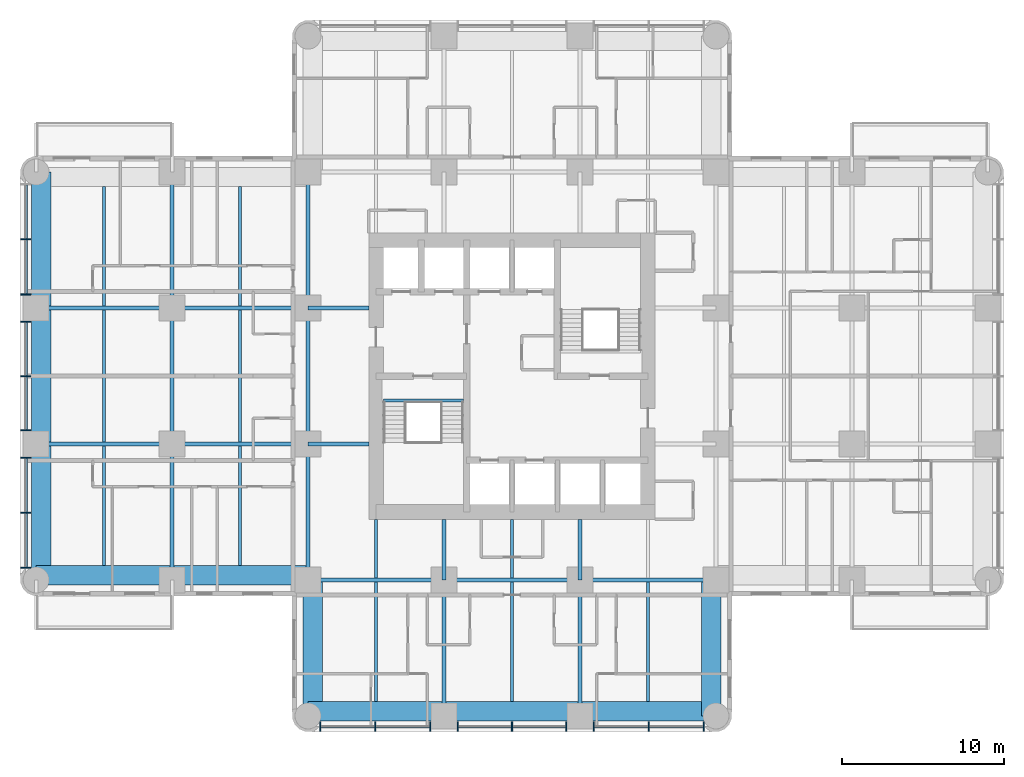
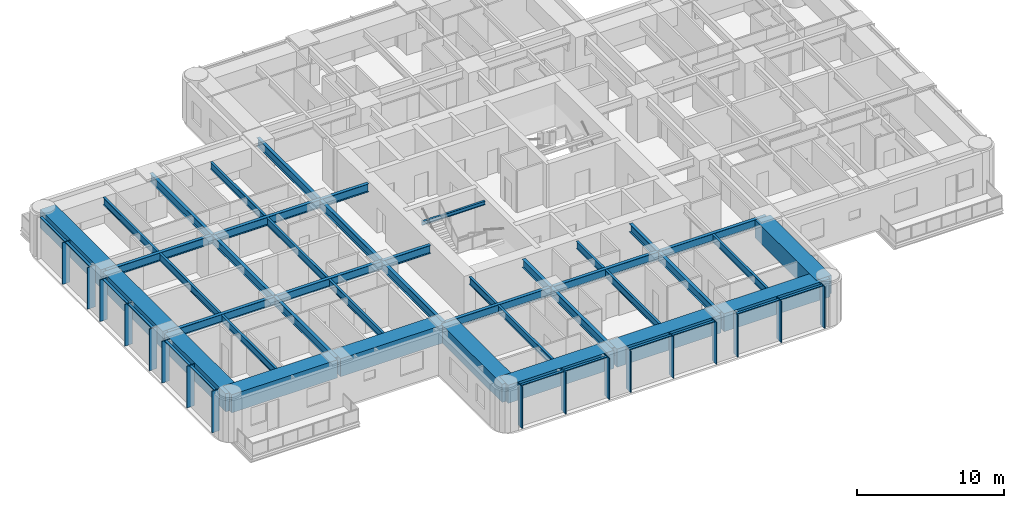
# One storey, part 2 of 14: 41 beams, 29 members, 2 elements without a shape of their own.
"""IFC4 building model written with IfcOpenShell, lengths in metres."""

from ifc_helpers import new_model, si_unit, direction, frame, origin, origin_2d, place, context, subcontext, project, spatial, rectangle, i_section, extrude, material, material_profile, profile_set, type_object, element, aggregate, save


model = new_model("IFC4")

# Units and contexts
model_context = context("Model", 3, precision=1e-05, world=origin(), true_north=direction((0.0, 1.0)))
body_context = subcontext(model_context, "Body", "Model", "MODEL_VIEW")
ifc_project = project(units=[si_unit("LENGTHUNIT", "METRE"), si_unit("AREAUNIT", "SQUARE_METRE"), si_unit("VOLUMEUNIT", "CUBIC_METRE"), si_unit("PLANEANGLEUNIT", "RADIAN"), si_unit("MASSUNIT", "GRAM", prefix="KILO")], contexts=[model_context])

# Site, building, storey
site_placement = place(None, origin())
site = spatial("IfcSite", under=ifc_project, at=site_placement, CompositionType="ELEMENT")
building_placement = place(site_placement, origin())
building = spatial("IfcBuilding", under=site, at=building_placement, Name="Torre Alcanfor", CompositionType="ELEMENT")
storey_placement = place(building_placement, frame((0.0, 0.0, 137.699951171875)))
storey = spatial("IfcBuildingStorey", under=building, at=storey_placement, Name="L35", CompositionType="ELEMENT", Elevation=137.699951171875)

# Curtain wall, members
ifc_material_1 = material(Name="Aluminium and glass", Category="aluminium")
curtain_wall_type = type_object("IfcCurtainWallType", Name="CW-A unitised apartment glazing with vertical FIN", PredefinedType="NOTDEFINED", material=ifc_material_1)
curtain_wall_1_placement = place(storey_placement, origin())
curtain_wall_1 = element("IfcCurtainWall", 1, at=curtain_wall_1_placement, inside=storey, type_object=curtain_wall_type, Name="Curtain wall CW-A L35 2", PredefinedType="NOTDEFINED")
ifc_material_2 = material(Name="Bronze anodised aluminium", Category="aluminium")
ifc_material_profile_1 = material_profile(ifc_material_2, rectangle(XDim=0.60009765625, YDim=0.06494140625, at=origin_2d()), Name="CW-A mullion 65x600")
ifc_profile_set_1 = profile_set([ifc_material_profile_1], Name="Bronze anodised aluminium")
member_type_1 = type_object("IfcMemberType", Name="CW-A mullion with vertical FIN 65x600", PredefinedType="MULLION", material=ifc_profile_set_1)
member_1_placement = place(storey_placement, frame((-0.64990234375, 37.840087890625, 0.0), z_axis=(0.0, 0.0, 1.0), x_axis=(1.0, 0.0, 0.0)))
member_1 = element("IfcMember", 2, at=member_1_placement, type_object=member_type_1, Name="CW-A mullion 1.2", PredefinedType="MULLION", context=body_context, shape_type="SweptSolid", body=[
    extrude(rectangle(XDim=0.60009765625, YDim=0.06494140625, at=origin_2d()), origin(), (0.0, 0.0, 1.0), 3.449951171875),
])
member_2_placement = place(storey_placement, frame((-0.64990234375, 34.4375, 0.0), z_axis=(0.0, 0.0, 1.0), x_axis=(1.0, 0.0, 0.0)))
member_2 = element("IfcMember", 3, at=member_2_placement, type_object=member_type_1, Name="CW-A mullion 1.3", PredefinedType="MULLION", context=body_context, shape_type="SweptSolid", body=[
    extrude(rectangle(XDim=0.60009765625, YDim=0.06494140625, at=origin_2d()), origin(), (0.0, 0.0, 1.0), 3.449951171875),
])
member_3_placement = place(storey_placement, frame((-0.64990234375, 32.762451171875, 0.0), z_axis=(0.0, 0.0, 1.0), x_axis=(1.0, 0.0, 0.0)))
member_3 = element("IfcMember", 4, at=member_3_placement, type_object=member_type_1, Name="CW-A mullion 2.1", PredefinedType="MULLION", context=body_context, shape_type="SweptSolid", body=[
    extrude(rectangle(XDim=0.60009765625, YDim=0.06494140625, at=origin_2d()), origin(), (0.0, 0.0, 1.0), 3.449951171875),
])
member_4_placement = place(storey_placement, frame((-0.64990234375, 29.39990234375, 0.0), z_axis=(0.0, 0.0, 1.0), x_axis=(1.0, 0.0, 0.0)))
member_4 = element("IfcMember", 5, at=member_4_placement, type_object=member_type_1, Name="CW-A mullion 2.2", PredefinedType="MULLION", context=body_context, shape_type="SweptSolid", body=[
    extrude(rectangle(XDim=0.60009765625, YDim=0.06494140625, at=origin_2d()), origin(), (0.0, 0.0, 1.0), 3.449951171875),
])
member_5_placement = place(storey_placement, frame((-0.64990234375, 26.03759765625, 0.0), z_axis=(0.0, 0.0, 1.0), x_axis=(1.0, 0.0, 0.0)))
member_5 = element("IfcMember", 6, at=member_5_placement, type_object=member_type_1, Name="CW-A mullion 2.3", PredefinedType="MULLION", context=body_context, shape_type="SweptSolid", body=[
    extrude(rectangle(XDim=0.60009765625, YDim=0.06494140625, at=origin_2d()), origin(), (0.0, 0.0, 1.0), 3.449951171875),
])
member_6_placement = place(storey_placement, frame((-0.64990234375, 24.362548828125, 0.0), z_axis=(0.0, 0.0, 1.0), x_axis=(1.0, 0.0, 0.0)))
member_6 = element("IfcMember", 7, at=member_6_placement, type_object=member_type_1, Name="CW-A mullion 3.1", PredefinedType="MULLION", context=body_context, shape_type="SweptSolid", body=[
    extrude(rectangle(XDim=0.60009765625, YDim=0.06494140625, at=origin_2d()), origin(), (0.0, 0.0, 1.0), 3.449951171875),
])
member_7_placement = place(storey_placement, frame((-0.64990234375, 20.9599609375, 0.0), z_axis=(0.0, 0.0, 1.0), x_axis=(1.0, 0.0, 0.0)))
member_7 = element("IfcMember", 8, at=member_7_placement, type_object=member_type_1, Name="CW-A mullion 3.2", PredefinedType="MULLION", context=body_context, shape_type="SweptSolid", body=[
    extrude(rectangle(XDim=0.60009765625, YDim=0.06494140625, at=origin_2d()), origin(), (0.0, 0.0, 1.0), 3.449951171875),
])
member_8_placement = place(storey_placement, frame((-0.64990234375, 17.557373046875, 0.0), z_axis=(0.0, 0.0, 1.0), x_axis=(1.0, 0.0, 0.0)))
member_8 = element("IfcMember", 9, at=member_8_placement, type_object=member_type_1, Name="CW-A mullion 3.3", PredefinedType="MULLION", context=body_context, shape_type="SweptSolid", body=[
    extrude(rectangle(XDim=0.60009765625, YDim=0.06494140625, at=origin_2d()), origin(), (0.0, 0.0, 1.0), 3.449951171875),
])

curtain_wall_2_placement = place(storey_placement, origin())
curtain_wall_2 = element("IfcCurtainWall", 10, at=curtain_wall_2_placement, inside=storey, type_object=curtain_wall_type, Name="Curtain wall CW-A L35 5", PredefinedType="NOTDEFINED")
member_9_placement = place(storey_placement, frame((17.557373046875, 7.75, 0.0), z_axis=(0.0, 0.0, 1.0), x_axis=(0.0, 1.0, 0.0)))
member_9 = element("IfcMember", 11, at=member_9_placement, type_object=member_type_1, Name="CW-A mullion 1.1", PredefinedType="MULLION", context=body_context, shape_type="SweptSolid", body=[
    extrude(rectangle(XDim=0.60009765625, YDim=0.06494140625, at=origin_2d()), origin(), (0.0, 0.0, 1.0), 3.449951171875),
])
member_10_placement = place(storey_placement, frame((20.9599609375, 7.75, 0.0), z_axis=(0.0, 0.0, 1.0), x_axis=(0.0, 1.0, 0.0)))
member_10 = element("IfcMember", 12, at=member_10_placement, type_object=member_type_1, Name="CW-A mullion 1.2", PredefinedType="MULLION", context=body_context, shape_type="SweptSolid", body=[
    extrude(rectangle(XDim=0.60009765625, YDim=0.06494140625, at=origin_2d()), origin(), (0.0, 0.0, 1.0), 3.449951171875),
])
member_11_placement = place(storey_placement, frame((24.362548828125, 7.75, 0.0), z_axis=(0.0, 0.0, 1.0), x_axis=(0.0, 1.0, 0.0)))
member_11 = element("IfcMember", 13, at=member_11_placement, type_object=member_type_1, Name="CW-A mullion 1.3", PredefinedType="MULLION", context=body_context, shape_type="SweptSolid", body=[
    extrude(rectangle(XDim=0.60009765625, YDim=0.06494140625, at=origin_2d()), origin(), (0.0, 0.0, 1.0), 3.449951171875),
])
member_12_placement = place(storey_placement, frame((26.03759765625, 7.75, 0.0), z_axis=(0.0, 0.0, 1.0), x_axis=(0.0, 1.0, 0.0)))
member_12 = element("IfcMember", 14, at=member_12_placement, type_object=member_type_1, Name="CW-A mullion 2.1", PredefinedType="MULLION", context=body_context, shape_type="SweptSolid", body=[
    extrude(rectangle(XDim=0.60009765625, YDim=0.06494140625, at=origin_2d()), origin(), (0.0, 0.0, 1.0), 3.449951171875),
])
member_13_placement = place(storey_placement, frame((29.39990234375, 7.75, 0.0), z_axis=(0.0, 0.0, 1.0), x_axis=(0.0, 1.0, 0.0)))
member_13 = element("IfcMember", 15, at=member_13_placement, type_object=member_type_1, Name="CW-A mullion 2.2", PredefinedType="MULLION", context=body_context, shape_type="SweptSolid", body=[
    extrude(rectangle(XDim=0.60009765625, YDim=0.06494140625, at=origin_2d()), origin(), (0.0, 0.0, 1.0), 3.449951171875),
])
member_14_placement = place(storey_placement, frame((32.762451171875, 7.75, 0.0), z_axis=(0.0, 0.0, 1.0), x_axis=(0.0, 1.0, 0.0)))
member_14 = element("IfcMember", 16, at=member_14_placement, type_object=member_type_1, Name="CW-A mullion 2.3", PredefinedType="MULLION", context=body_context, shape_type="SweptSolid", body=[
    extrude(rectangle(XDim=0.60009765625, YDim=0.06494140625, at=origin_2d()), origin(), (0.0, 0.0, 1.0), 3.449951171875),
])
member_15_placement = place(storey_placement, frame((34.4375, 7.75, 0.0), z_axis=(0.0, 0.0, 1.0), x_axis=(0.0, 1.0, 0.0)))
member_15 = element("IfcMember", 17, at=member_15_placement, type_object=member_type_1, Name="CW-A mullion 3.1", PredefinedType="MULLION", context=body_context, shape_type="SweptSolid", body=[
    extrude(rectangle(XDim=0.60009765625, YDim=0.06494140625, at=origin_2d()), origin(), (0.0, 0.0, 1.0), 3.449951171875),
])
member_16_placement = place(storey_placement, frame((37.840087890625, 7.75, 0.0), z_axis=(0.0, 0.0, 1.0), x_axis=(0.0, 1.0, 0.0)))
member_16 = element("IfcMember", 18, at=member_16_placement, type_object=member_type_1, Name="CW-A mullion 3.2", PredefinedType="MULLION", context=body_context, shape_type="SweptSolid", body=[
    extrude(rectangle(XDim=0.60009765625, YDim=0.06494140625, at=origin_2d()), origin(), (0.0, 0.0, 1.0), 3.449951171875),
])
member_17_placement = place(storey_placement, frame((41.24267578125, 7.75, 0.0), z_axis=(0.0, 0.0, 1.0), x_axis=(0.0, 1.0, 0.0)))
member_17 = element("IfcMember", 19, at=member_17_placement, type_object=member_type_1, Name="CW-A mullion 3.3", PredefinedType="MULLION", context=body_context, shape_type="SweptSolid", body=[
    extrude(rectangle(XDim=0.60009765625, YDim=0.06494140625, at=origin_2d()), origin(), (0.0, 0.0, 1.0), 3.449951171875),
])

# Member
ifc_material_3 = material(Name="Extruded aluminium", Category="aluminium")
ifc_material_profile_2 = material_profile(ifc_material_3, rectangle(XDim=0.199951171875, YDim=0.06494140625, at=origin_2d()), Name="CW-A transom 200x65")
ifc_profile_set_2 = profile_set([ifc_material_profile_2], Name="Extruded aluminium")
member_type_2 = type_object("IfcMemberType", Name="CW-A transom 65x200", PredefinedType="USERDEFINED", material=ifc_profile_set_2)
member_18_placement = place(storey_placement, frame((-0.64990234375, 41.210205078125, 3.41748046875), z_axis=(0.0, -1.0, 0.0), x_axis=(1.0, 0.0, 0.0)))
member_18 = element("IfcMember", 20, at=member_18_placement, type_object=member_type_2, Name="CW-A transom 1.1.2", ObjectType="TRANSOM", PredefinedType="USERDEFINED", context=body_context, shape_type="SweptSolid", body=[
    extrude(rectangle(XDim=0.199951171875, YDim=0.06494140625, at=origin_2d()), origin(), (0.0, 0.0, 1.0), 3.337646484375),
])

member_19_placement = place(storey_placement, frame((-0.64990234375, 37.8076171875, 3.41748046875), z_axis=(0.0, -1.0, 0.0), x_axis=(1.0, 0.0, 0.0)))
member_19 = element("IfcMember", 21, at=member_19_placement, type_object=member_type_2, Name="CW-A transom 1.2.2", ObjectType="TRANSOM", PredefinedType="USERDEFINED", context=body_context, shape_type="SweptSolid", body=[
    extrude(rectangle(XDim=0.199951171875, YDim=0.06494140625, at=origin_2d()), origin(), (0.0, 0.0, 1.0), 3.337646484375),
])

member_20_placement = place(storey_placement, frame((-0.64990234375, 32.72998046875, 3.41748046875), z_axis=(0.0, -1.0, 0.0), x_axis=(1.0, 0.0, 0.0)))
member_20 = element("IfcMember", 22, at=member_20_placement, type_object=member_type_2, Name="CW-A transom 2.1.2", ObjectType="TRANSOM", PredefinedType="USERDEFINED", context=body_context, shape_type="SweptSolid", body=[
    extrude(rectangle(XDim=0.199951171875, YDim=0.06494140625, at=origin_2d()), origin(), (0.0, 0.0, 1.0), 3.29736328125),
])

member_21_placement = place(storey_placement, frame((-0.64990234375, 29.367431640625, 3.41748046875), z_axis=(0.0, -1.0, 0.0), x_axis=(1.0, 0.0, 0.0)))
member_21 = element("IfcMember", 23, at=member_21_placement, type_object=member_type_2, Name="CW-A transom 2.2.2", ObjectType="TRANSOM", PredefinedType="USERDEFINED", context=body_context, shape_type="SweptSolid", body=[
    extrude(rectangle(XDim=0.199951171875, YDim=0.06494140625, at=origin_2d()), origin(), (0.0, 0.0, 1.0), 3.29736328125),
])

member_22_placement = place(storey_placement, frame((-0.64990234375, 24.330078125, 3.41748046875), z_axis=(0.0, -1.0, 0.0), x_axis=(1.0, 0.0, 0.0)))
member_22 = element("IfcMember", 24, at=member_22_placement, type_object=member_type_2, Name="CW-A transom 3.1.2", ObjectType="TRANSOM", PredefinedType="USERDEFINED", context=body_context, shape_type="SweptSolid", body=[
    extrude(rectangle(XDim=0.199951171875, YDim=0.06494140625, at=origin_2d()), origin(), (0.0, 0.0, 1.0), 3.337646484375),
])

member_23_placement = place(storey_placement, frame((-0.64990234375, 20.927490234375, 3.41748046875), z_axis=(0.0, -1.0, 0.0), x_axis=(1.0, 0.0, 0.0)))
member_23 = element("IfcMember", 25, at=member_23_placement, type_object=member_type_2, Name="CW-A transom 3.2.2", ObjectType="TRANSOM", PredefinedType="USERDEFINED", context=body_context, shape_type="SweptSolid", body=[
    extrude(rectangle(XDim=0.199951171875, YDim=0.06494140625, at=origin_2d()), origin(), (0.0, 0.0, 1.0), 3.337646484375),
])

aggregate(curtain_wall_1, [member_1, member_2, member_18, member_19, member_3, member_4, member_5, member_20, member_21, member_6, member_7, member_8, member_22, member_23])

member_24_placement = place(storey_placement, frame((17.58984375, 7.75, 3.41748046875), z_axis=(1.0, 0.0, 0.0), x_axis=(0.0, 1.0, 0.0)))
member_24 = element("IfcMember", 26, at=member_24_placement, type_object=member_type_2, Name="CW-A transom 1.1.2", ObjectType="TRANSOM", PredefinedType="USERDEFINED", context=body_context, shape_type="SweptSolid", body=[
    extrude(rectangle(XDim=0.199951171875, YDim=0.06494140625, at=origin_2d()), origin(), (0.0, 0.0, 1.0), 3.337646484375),
])

member_25_placement = place(storey_placement, frame((20.992431640625, 7.75, 3.41748046875), z_axis=(1.0, 0.0, 0.0), x_axis=(0.0, 1.0, 0.0)))
member_25 = element("IfcMember", 27, at=member_25_placement, type_object=member_type_2, Name="CW-A transom 1.2.2", ObjectType="TRANSOM", PredefinedType="USERDEFINED", context=body_context, shape_type="SweptSolid", body=[
    extrude(rectangle(XDim=0.199951171875, YDim=0.06494140625, at=origin_2d()), origin(), (0.0, 0.0, 1.0), 3.337646484375),
])

member_26_placement = place(storey_placement, frame((26.070068359375, 7.75, 3.41748046875), z_axis=(1.0, 0.0, 0.0), x_axis=(0.0, 1.0, 0.0)))
member_26 = element("IfcMember", 28, at=member_26_placement, type_object=member_type_2, Name="CW-A transom 2.1.2", ObjectType="TRANSOM", PredefinedType="USERDEFINED", context=body_context, shape_type="SweptSolid", body=[
    extrude(rectangle(XDim=0.199951171875, YDim=0.06494140625, at=origin_2d()), origin(), (0.0, 0.0, 1.0), 3.29736328125),
])

member_27_placement = place(storey_placement, frame((29.4326171875, 7.75, 3.41748046875), z_axis=(1.0, 0.0, 0.0), x_axis=(0.0, 1.0, 0.0)))
member_27 = element("IfcMember", 29, at=member_27_placement, type_object=member_type_2, Name="CW-A transom 2.2.2", ObjectType="TRANSOM", PredefinedType="USERDEFINED", context=body_context, shape_type="SweptSolid", body=[
    extrude(rectangle(XDim=0.199951171875, YDim=0.06494140625, at=origin_2d()), origin(), (0.0, 0.0, 1.0), 3.29736328125),
])

member_28_placement = place(storey_placement, frame((34.469970703125, 7.75, 3.41748046875), z_axis=(1.0, 0.0, 0.0), x_axis=(0.0, 1.0, 0.0)))
member_28 = element("IfcMember", 30, at=member_28_placement, type_object=member_type_2, Name="CW-A transom 3.1.2", ObjectType="TRANSOM", PredefinedType="USERDEFINED", context=body_context, shape_type="SweptSolid", body=[
    extrude(rectangle(XDim=0.199951171875, YDim=0.06494140625, at=origin_2d()), origin(), (0.0, 0.0, 1.0), 3.337646484375),
])

member_29_placement = place(storey_placement, frame((37.87255859375, 7.75, 3.41748046875), z_axis=(1.0, 0.0, 0.0), x_axis=(0.0, 1.0, 0.0)))
member_29 = element("IfcMember", 31, at=member_29_placement, type_object=member_type_2, Name="CW-A transom 3.2.2", ObjectType="TRANSOM", PredefinedType="USERDEFINED", context=body_context, shape_type="SweptSolid", body=[
    extrude(rectangle(XDim=0.199951171875, YDim=0.06494140625, at=origin_2d()), origin(), (0.0, 0.0, 1.0), 3.337646484375),
])

aggregate(curtain_wall_2, [member_9, member_10, member_11, member_24, member_25, member_12, member_13, member_14, member_26, member_27, member_15, member_16, member_17, member_28, member_29])

# Beams
ifc_material_4 = material(Name="Steel ASTM A992 Grade 50", Category="steel")
ifc_material_profile_3 = material_profile(ifc_material_4, i_section(OverallWidth=0.25390625, OverallDepth=0.683349609375, WebThickness=0.012451171875, FlangeThickness=0.01904296875, at=origin_2d()), Name="W27x94")
ifc_profile_set_3 = profile_set([ifc_material_profile_3], Name="Steel ASTM A992 Grade 50")
beam_type_1 = type_object("IfcBeamType", Name="Girder W27x94", PredefinedType="BEAM", material=ifc_profile_set_3)
beam_1_placement = place(storey_placement, frame((16.800048828125, 16.800048828125, 3.1083984375), z_axis=(1.0, 0.0, 0.0), x_axis=(0.0, 1.0, 0.0)))
element("IfcBeam", 32, at=beam_1_placement, inside=storey, type_object=beam_type_1, Name="Beam 3E-4E under L36", PredefinedType="BEAM", context=body_context, shape_type="SweptSolid", body=[
    extrude(i_section(OverallWidth=0.25390625, OverallDepth=0.683349609375, WebThickness=0.012451171875, FlangeThickness=0.01904296875, at=origin_2d()), origin(), (0.0, 0.0, 1.0), 8.39990234375),
])
beam_2_placement = place(storey_placement, frame((25.199951171875, 16.800048828125, 3.1083984375), z_axis=(1.0, 0.0, 0.0), x_axis=(0.0, 1.0, 0.0)))
element("IfcBeam", 33, at=beam_2_placement, inside=storey, type_object=beam_type_1, Name="Beam 4E-5E under L36", PredefinedType="BEAM", context=body_context, shape_type="SweptSolid", body=[
    extrude(i_section(OverallWidth=0.25390625, OverallDepth=0.683349609375, WebThickness=0.012451171875, FlangeThickness=0.01904296875, at=origin_2d()), origin(), (0.0, 0.0, 1.0), 8.400146484375),
])
for number, where, z_axis, x_axis, name in (
    (34, (33.60009765625, 16.800048828125, 3.1083984375), (1.0, 0.0, 0.0), (0.0, 1.0, 0.0), "Beam 5E-6E under L36"),
    (35, (0.0, 25.199951171875, 3.1083984375), (1.0, 0.0, 0.0), (0.0, 1.0, 0.0), "Beam 1F-2F under L36"),
):
    element("IfcBeam", number, at=place(storey_placement, frame(where, z_axis=z_axis, x_axis=x_axis)), inside=storey, type_object=beam_type_1, Name=name, PredefinedType="BEAM", context=body_context, shape_type="SweptSolid", body=[
        extrude(i_section(OverallWidth=0.25390625, OverallDepth=0.683349609375, WebThickness=0.012451171875, FlangeThickness=0.01904296875, at=origin_2d()), origin(), (0.0, 0.0, 1.0), 8.39990234375),
    ])
beam_3_placement = place(storey_placement, frame((8.39990234375, 25.199951171875, 3.1083984375), z_axis=(1.0, 0.0, 0.0), x_axis=(0.0, 1.0, 0.0)))
element("IfcBeam", 36, at=beam_3_placement, inside=storey, type_object=beam_type_1, Name="Beam 2F-3F under L36", PredefinedType="BEAM", context=body_context, shape_type="SweptSolid", body=[
    extrude(i_section(OverallWidth=0.25390625, OverallDepth=0.683349609375, WebThickness=0.012451171875, FlangeThickness=0.01904296875, at=origin_2d()), origin(), (0.0, 0.0, 1.0), 8.400146484375),
])
beam_4_placement = place(storey_placement, frame((0.0, 33.60009765625, 3.1083984375), z_axis=(1.0, 0.0, 0.0), x_axis=(0.0, 1.0, 0.0)))
element("IfcBeam", 37, at=beam_4_placement, inside=storey, type_object=beam_type_1, Name="Beam 1G-2G under L36", PredefinedType="BEAM", context=body_context, shape_type="SweptSolid", body=[
    extrude(i_section(OverallWidth=0.25390625, OverallDepth=0.683349609375, WebThickness=0.012451171875, FlangeThickness=0.01904296875, at=origin_2d()), origin(), (0.0, 0.0, 1.0), 8.39990234375),
])
beam_5_placement = place(storey_placement, frame((8.39990234375, 33.60009765625, 3.1083984375), z_axis=(1.0, 0.0, 0.0), x_axis=(0.0, 1.0, 0.0)))
element("IfcBeam", 38, at=beam_5_placement, inside=storey, type_object=beam_type_1, Name="Beam 2G-3G under L36", PredefinedType="BEAM", context=body_context, shape_type="SweptSolid", body=[
    extrude(i_section(OverallWidth=0.25390625, OverallDepth=0.683349609375, WebThickness=0.012451171875, FlangeThickness=0.01904296875, at=origin_2d()), origin(), (0.0, 0.0, 1.0), 8.400146484375),
])
beam_6_placement = place(storey_placement, frame((8.39990234375, 16.800048828125, 3.1083984375), z_axis=(0.0, 1.0, 0.0), x_axis=(-1.0, 0.0, 0.0)))
element("IfcBeam", 39, at=beam_6_placement, inside=storey, type_object=beam_type_1, Name="Beam 2E-2F under L36", PredefinedType="BEAM", context=body_context, shape_type="SweptSolid", body=[
    extrude(i_section(OverallWidth=0.25390625, OverallDepth=0.683349609375, WebThickness=0.012451171875, FlangeThickness=0.01904296875, at=origin_2d()), origin(), (0.0, 0.0, 1.0), 8.39990234375),
])
beam_7_placement = place(storey_placement, frame((8.39990234375, 25.199951171875, 3.1083984375), z_axis=(0.0, 1.0, 0.0), x_axis=(-1.0, 0.0, 0.0)))
element("IfcBeam", 40, at=beam_7_placement, inside=storey, type_object=beam_type_1, Name="Beam 2F-2G under L36", PredefinedType="BEAM", context=body_context, shape_type="SweptSolid", body=[
    extrude(i_section(OverallWidth=0.25390625, OverallDepth=0.683349609375, WebThickness=0.012451171875, FlangeThickness=0.01904296875, at=origin_2d()), origin(), (0.0, 0.0, 1.0), 8.400146484375),
])
for number, where, z_axis, x_axis, name in (
    (41, (8.39990234375, 33.60009765625, 3.1083984375), (0.0, 1.0, 0.0), (-1.0, 0.0, 0.0), "Beam 2G-2H under L36"),
    (42, (16.800048828125, 16.800048828125, 3.1083984375), (0.0, 1.0, 0.0), (-1.0, 0.0, 0.0), "Beam 3E-3F under L36"),
):
    element("IfcBeam", number, at=place(storey_placement, frame(where, z_axis=z_axis, x_axis=x_axis)), inside=storey, type_object=beam_type_1, Name=name, PredefinedType="BEAM", context=body_context, shape_type="SweptSolid", body=[
        extrude(i_section(OverallWidth=0.25390625, OverallDepth=0.683349609375, WebThickness=0.012451171875, FlangeThickness=0.01904296875, at=origin_2d()), origin(), (0.0, 0.0, 1.0), 8.39990234375),
    ])
beam_8_placement = place(storey_placement, frame((16.800048828125, 25.199951171875, 3.1083984375), z_axis=(0.0, 1.0, 0.0), x_axis=(-1.0, 0.0, 0.0)))
element("IfcBeam", 43, at=beam_8_placement, inside=storey, type_object=beam_type_1, Name="Beam 3F-3G under L36", PredefinedType="BEAM", context=body_context, shape_type="SweptSolid", body=[
    extrude(i_section(OverallWidth=0.25390625, OverallDepth=0.683349609375, WebThickness=0.012451171875, FlangeThickness=0.01904296875, at=origin_2d()), origin(), (0.0, 0.0, 1.0), 8.400146484375),
])
beam_9_placement = place(storey_placement, frame((16.800048828125, 33.60009765625, 3.1083984375), z_axis=(0.0, 1.0, 0.0), x_axis=(-1.0, 0.0, 0.0)))
element("IfcBeam", 44, at=beam_9_placement, inside=storey, type_object=beam_type_1, Name="Beam 3G-3H under L36", PredefinedType="BEAM", context=body_context, shape_type="SweptSolid", body=[
    extrude(i_section(OverallWidth=0.25390625, OverallDepth=0.683349609375, WebThickness=0.012451171875, FlangeThickness=0.01904296875, at=origin_2d()), origin(), (0.0, 0.0, 1.0), 8.39990234375),
])
for number, where, z_axis, x_axis, name in (
    (45, (25.199951171875, 8.39990234375, 3.1083984375), (0.0, 1.0, 0.0), (-1.0, 0.0, 0.0), "Beam 4D-4E under L36"),
    (46, (33.60009765625, 8.39990234375, 3.1083984375), (0.0, 1.0, 0.0), (-1.0, 0.0, 0.0), "Beam 5D-5E under L36"),
):
    element("IfcBeam", number, at=place(storey_placement, frame(where, z_axis=z_axis, x_axis=x_axis)), inside=storey, type_object=beam_type_1, Name=name, PredefinedType="BEAM", context=body_context, shape_type="SweptSolid", body=[
        extrude(i_section(OverallWidth=0.25390625, OverallDepth=0.683349609375, WebThickness=0.012451171875, FlangeThickness=0.01904296875, at=origin_2d()), origin(), (0.0, 0.0, 1.0), 8.400146484375),
    ])
ifc_material_5 = material(Name="Steel ASTM A992 Grade 50", Category="steel")
ifc_material_profile_4 = material_profile(ifc_material_5, i_section(OverallWidth=0.25390625, OverallDepth=0.683349609375, WebThickness=0.012451171875, FlangeThickness=0.01904296875, at=origin_2d()), Name="W27x94")
ifc_profile_set_4 = profile_set([ifc_material_profile_4], Name="Steel ASTM A992 Grade 50")
beam_type_2 = type_object("IfcBeamType", Name="Girder, part bay W27x94", PredefinedType="BEAM", material=ifc_profile_set_4)
for number, where, z_axis, x_axis, name in (
    (47, (25.199951171875, 16.800048828125, 3.1083984375), (0.0, 1.0, 0.0), (-1.0, 0.0, 0.0), "Beam 4E-420_55 under L36"),
    (48, (33.60009765625, 16.800048828125, 3.1083984375), (0.0, 1.0, 0.0), (-1.0, 0.0, 0.0), "Beam 5E-520_55 under L36"),
    (49, (16.800048828125, 25.199951171875, 3.1083984375), (1.0, 0.0, 0.0), (0.0, 1.0, 0.0), "Beam 3F-20_55F under L36"),
    (50, (16.800048828125, 33.60009765625, 3.1083984375), (1.0, 0.0, 0.0), (0.0, 1.0, 0.0), "Beam 3G-20_55G under L36"),
):
    element("IfcBeam", number, at=place(storey_placement, frame(where, z_axis=z_axis, x_axis=x_axis)), inside=storey, type_object=beam_type_2, Name=name, PredefinedType="BEAM", context=body_context, shape_type="SweptSolid", body=[
        extrude(i_section(OverallWidth=0.25390625, OverallDepth=0.683349609375, WebThickness=0.012451171875, FlangeThickness=0.01904296875, at=origin_2d()), origin(), (0.0, 0.0, 1.0), 3.75),
    ])
ifc_material_6 = material(Name="Concrete f'c 70 MPa", Category="concrete")
ifc_material_profile_5 = material_profile(ifc_material_6, rectangle(XDim=1.199951171875, YDim=1.5, at=origin_2d()), Name="1200x1500")
ifc_profile_set_5 = profile_set([ifc_material_profile_5], Name="Concrete f'c 70 MPa")
beam_type_3 = type_object("IfcBeamType", Name="RC perimeter beam 1200x1500", PredefinedType="BEAM", material=ifc_profile_set_5)
beam_10_placement = place(storey_placement, frame((16.800048828125, 8.699951171875, 2.699951171875), z_axis=(1.0, 0.0, 0.0), x_axis=(0.0, 1.0, 0.0)))
element("IfcBeam", 51, at=beam_10_placement, inside=storey, type_object=beam_type_3, Name="Beam 3D-4D under L36", PredefinedType="BEAM", context=body_context, shape_type="SweptSolid", body=[
    extrude(rectangle(XDim=1.199951171875, YDim=1.5, at=origin_2d()), origin(), (0.0, 0.0, 1.0), 8.27294921875),
])
beam_11_placement = place(storey_placement, frame((25.326904296875, 8.699951171875, 2.699951171875), z_axis=(1.0, 0.0, 0.0), x_axis=(0.0, 1.0, 0.0)))
element("IfcBeam", 52, at=beam_11_placement, inside=storey, type_object=beam_type_3, Name="Beam 4D-5D under L36", PredefinedType="BEAM", context=body_context, shape_type="SweptSolid", body=[
    extrude(rectangle(XDim=1.199951171875, YDim=1.5, at=origin_2d()), origin(), (0.0, 0.0, 1.0), 8.14599609375),
])
for number, where, z_axis, x_axis, name in (
    (53, (33.72705078125, 8.699951171875, 2.699951171875), (1.0, 0.0, 0.0), (0.0, 1.0, 0.0), "Beam 5D-6D under L36"),
    (54, (0.0, 17.10009765625, 2.699951171875), (1.0, 0.0, 0.0), (0.0, 1.0, 0.0), "Beam 1E-2E under L36"),
):
    element("IfcBeam", number, at=place(storey_placement, frame(where, z_axis=z_axis, x_axis=x_axis)), inside=storey, type_object=beam_type_3, Name=name, PredefinedType="BEAM", context=body_context, shape_type="SweptSolid", body=[
        extrude(rectangle(XDim=1.199951171875, YDim=1.5, at=origin_2d()), origin(), (0.0, 0.0, 1.0), 8.27294921875),
    ])
beam_12_placement = place(storey_placement, frame((8.527099609375, 17.10009765625, 2.699951171875), z_axis=(1.0, 0.0, 0.0), x_axis=(0.0, 1.0, 0.0)))
element("IfcBeam", 55, at=beam_12_placement, inside=storey, type_object=beam_type_3, Name="Beam 2E-3E under L36", PredefinedType="BEAM", context=body_context, shape_type="SweptSolid", body=[
    extrude(rectangle(XDim=1.199951171875, YDim=1.5, at=origin_2d()), origin(), (0.0, 0.0, 1.0), 8.39990234375),
])
beam_13_placement = place(storey_placement, frame((0.300048828125, 16.800048828125, 2.699951171875), z_axis=(0.0, 1.0, 0.0), x_axis=(-1.0, 0.0, 0.0)))
element("IfcBeam", 56, at=beam_13_placement, inside=storey, type_object=beam_type_3, Name="Beam 1E-1F under L36", PredefinedType="BEAM", context=body_context, shape_type="SweptSolid", body=[
    extrude(rectangle(XDim=1.199951171875, YDim=1.5, at=origin_2d()), origin(), (0.0, 0.0, 1.0), 8.27294921875),
])
beam_14_placement = place(storey_placement, frame((0.300048828125, 25.326904296875, 2.699951171875), z_axis=(0.0, 1.0, 0.0), x_axis=(-1.0, 0.0, 0.0)))
element("IfcBeam", 57, at=beam_14_placement, inside=storey, type_object=beam_type_3, Name="Beam 1F-1G under L36", PredefinedType="BEAM", context=body_context, shape_type="SweptSolid", body=[
    extrude(rectangle(XDim=1.199951171875, YDim=1.5, at=origin_2d()), origin(), (0.0, 0.0, 1.0), 8.14599609375),
])
beam_15_placement = place(storey_placement, frame((0.300048828125, 33.72705078125, 2.699951171875), z_axis=(0.0, 1.0, 0.0), x_axis=(-1.0, 0.0, 0.0)))
element("IfcBeam", 58, at=beam_15_placement, inside=storey, type_object=beam_type_3, Name="Beam 1G-1H under L36", PredefinedType="BEAM", context=body_context, shape_type="SweptSolid", body=[
    extrude(rectangle(XDim=1.199951171875, YDim=1.5, at=origin_2d()), origin(), (0.0, 0.0, 1.0), 8.27294921875),
])
for number, where, z_axis, x_axis, name in (
    (59, (17.10009765625, 8.39990234375, 2.699951171875), (0.0, 1.0, 0.0), (-1.0, 0.0, 0.0), "Beam 3D-3E under L36"),
    (60, (41.699951171875, 8.39990234375, 2.699951171875), (0.0, 1.0, 0.0), (-1.0, 0.0, 0.0), "Beam 6D-6E under L36"),
):
    element("IfcBeam", number, at=place(storey_placement, frame(where, z_axis=z_axis, x_axis=x_axis)), inside=storey, type_object=beam_type_3, Name=name, PredefinedType="BEAM", context=body_context, shape_type="SweptSolid", body=[
        extrude(rectangle(XDim=1.199951171875, YDim=1.5, at=origin_2d()), origin(), (0.0, 0.0, 1.0), 8.273193359375),
    ])
ifc_material_7 = material(Name="Steel ASTM A992 Grade 50", Category="steel")
ifc_material_profile_6 = material_profile(ifc_material_7, i_section(OverallWidth=0.1787109375, OverallDepth=0.60205078125, WebThickness=0.010986328125, FlangeThickness=0.014892578125, at=origin_2d()), Name="W24x62")
ifc_profile_set_6 = profile_set([ifc_material_profile_6], Name="Steel ASTM A992 Grade 50")
beam_type_4 = type_object("IfcBeamType", Name="Secondary beam W24x62", PredefinedType="BEAM", material=ifc_profile_set_6)
beam_16_placement = place(storey_placement, frame((4.199951171875, 17.699951171875, 3.149169921875), z_axis=(0.0, 1.0, 0.0), x_axis=(-1.0, 0.0, 0.0)))
element("IfcBeam", 61, at=beam_16_placement, inside=storey, type_object=beam_type_4, Name="Beam 4_2E-4_2F under L36", PredefinedType="BEAM", context=body_context, shape_type="SweptSolid", body=[
    extrude(i_section(OverallWidth=0.1787109375, OverallDepth=0.60205078125, WebThickness=0.010986328125, FlangeThickness=0.014892578125, at=origin_2d()), origin(), (0.0, 0.0, 1.0), 7.373046875),
])
beam_17_placement = place(storey_placement, frame((4.199951171875, 25.326904296875, 3.149169921875), z_axis=(0.0, 1.0, 0.0), x_axis=(-1.0, 0.0, 0.0)))
element("IfcBeam", 62, at=beam_17_placement, inside=storey, type_object=beam_type_4, Name="Beam 4_2F-4_2G under L36", PredefinedType="BEAM", context=body_context, shape_type="SweptSolid", body=[
    extrude(i_section(OverallWidth=0.1787109375, OverallDepth=0.60205078125, WebThickness=0.010986328125, FlangeThickness=0.014892578125, at=origin_2d()), origin(), (0.0, 0.0, 1.0), 8.14599609375),
])
for number, where, z_axis, x_axis, name in (
    (63, (4.199951171875, 33.72705078125, 3.149169921875), (0.0, 1.0, 0.0), (-1.0, 0.0, 0.0), "Beam 4_2G-4_2H under L36"),
    (64, (12.60009765625, 17.699951171875, 3.149169921875), (0.0, 1.0, 0.0), (-1.0, 0.0, 0.0), "Beam 12_6E-12_6F under L36"),
):
    element("IfcBeam", number, at=place(storey_placement, frame(where, z_axis=z_axis, x_axis=x_axis)), inside=storey, type_object=beam_type_4, Name=name, PredefinedType="BEAM", context=body_context, shape_type="SweptSolid", body=[
        extrude(i_section(OverallWidth=0.1787109375, OverallDepth=0.60205078125, WebThickness=0.010986328125, FlangeThickness=0.014892578125, at=origin_2d()), origin(), (0.0, 0.0, 1.0), 7.373046875),
    ])
beam_18_placement = place(storey_placement, frame((12.60009765625, 25.326904296875, 3.149169921875), z_axis=(0.0, 1.0, 0.0), x_axis=(-1.0, 0.0, 0.0)))
element("IfcBeam", 65, at=beam_18_placement, inside=storey, type_object=beam_type_4, Name="Beam 12_6F-12_6G under L36", PredefinedType="BEAM", context=body_context, shape_type="SweptSolid", body=[
    extrude(i_section(OverallWidth=0.1787109375, OverallDepth=0.60205078125, WebThickness=0.010986328125, FlangeThickness=0.014892578125, at=origin_2d()), origin(), (0.0, 0.0, 1.0), 8.14599609375),
])
for number, where, z_axis, x_axis, name in (
    (66, (12.60009765625, 33.72705078125, 3.149169921875), (0.0, 1.0, 0.0), (-1.0, 0.0, 0.0), "Beam 12_6G-12_6H under L36"),
    (67, (21.0, 9.300048828125, 3.149169921875), (0.0, 1.0, 0.0), (-1.0, 0.0, 0.0), "Beam 21D-21E under L36"),
    (68, (29.39990234375, 9.300048828125, 3.149169921875), (0.0, 1.0, 0.0), (-1.0, 0.0, 0.0), "Beam 29_4D-29_4E under L36"),
    (69, (37.800048828125, 9.300048828125, 3.149169921875), (0.0, 1.0, 0.0), (-1.0, 0.0, 0.0), "Beam 37_8D-37_8E under L36"),
):
    element("IfcBeam", number, at=place(storey_placement, frame(where, z_axis=z_axis, x_axis=x_axis)), inside=storey, type_object=beam_type_4, Name=name, PredefinedType="BEAM", context=body_context, shape_type="SweptSolid", body=[
        extrude(i_section(OverallWidth=0.1787109375, OverallDepth=0.60205078125, WebThickness=0.010986328125, FlangeThickness=0.014892578125, at=origin_2d()), origin(), (0.0, 0.0, 1.0), 7.373046875),
    ])
ifc_material_8 = material(Name="Steel ASTM A992 Grade 50", Category="steel")
ifc_material_profile_7 = material_profile(ifc_material_8, i_section(OverallWidth=0.1787109375, OverallDepth=0.60205078125, WebThickness=0.010986328125, FlangeThickness=0.014892578125, at=origin_2d()), Name="W24x62")
ifc_profile_set_7 = profile_set([ifc_material_profile_7], Name="Steel ASTM A992 Grade 50")
beam_type_5 = type_object("IfcBeamType", Name="Secondary beam, part bay W24x62", PredefinedType="BEAM", material=ifc_profile_set_7)
for number, where, z_axis, x_axis, name in (
    (70, (21.0, 16.927001953125, 3.149169921875), (0.0, 1.0, 0.0), (-1.0, 0.0, 0.0), "Beam 21E-2120_55 under L36"),
    (71, (29.39990234375, 16.927001953125, 3.149169921875), (0.0, 1.0, 0.0), (-1.0, 0.0, 0.0), "Beam 29_4E-29_420_55 under L36"),
):
    element("IfcBeam", number, at=place(storey_placement, frame(where, z_axis=z_axis, x_axis=x_axis)), inside=storey, type_object=beam_type_5, Name=name, PredefinedType="BEAM", context=body_context, shape_type="SweptSolid", body=[
        extrude(i_section(OverallWidth=0.1787109375, OverallDepth=0.60205078125, WebThickness=0.010986328125, FlangeThickness=0.014892578125, at=origin_2d()), origin(), (0.0, 0.0, 1.0), 3.623046875),
    ])
ifc_material_9 = material(Name="Steel ASTM A992 Grade 50", Category="steel")
ifc_material_profile_8 = material_profile(ifc_material_9, i_section(OverallWidth=0.164794921875, OverallDepth=0.309814453125, WebThickness=0.005859375, FlangeThickness=0.009765625, at=origin_2d()), Name="W12x26")
ifc_profile_set_8 = profile_set([ifc_material_profile_8], Name="Steel ASTM A992 Grade 50")
beam_type_6 = type_object("IfcBeamType", Name="Stair landing beam W12x26", PredefinedType="BEAM", material=ifc_profile_set_8)
beam_19_placement = place(storey_placement, frame((21.449951171875, 27.887451171875, 3.2451171875), z_axis=(1.0, 0.0, 0.0), x_axis=(0.0, 1.0, 0.0)))
element("IfcBeam", 72, at=beam_19_placement, inside=storey, type_object=beam_type_6, Name="Landing trimmer S1 L36", PredefinedType="BEAM", context=body_context, shape_type="SweptSolid", body=[
    extrude(i_section(OverallWidth=0.164794921875, OverallDepth=0.309814453125, WebThickness=0.005859375, FlangeThickness=0.009765625, at=origin_2d()), origin(), (0.0, 0.0, 1.0), 4.949951171875),
])

save(model, "model.ifc")
